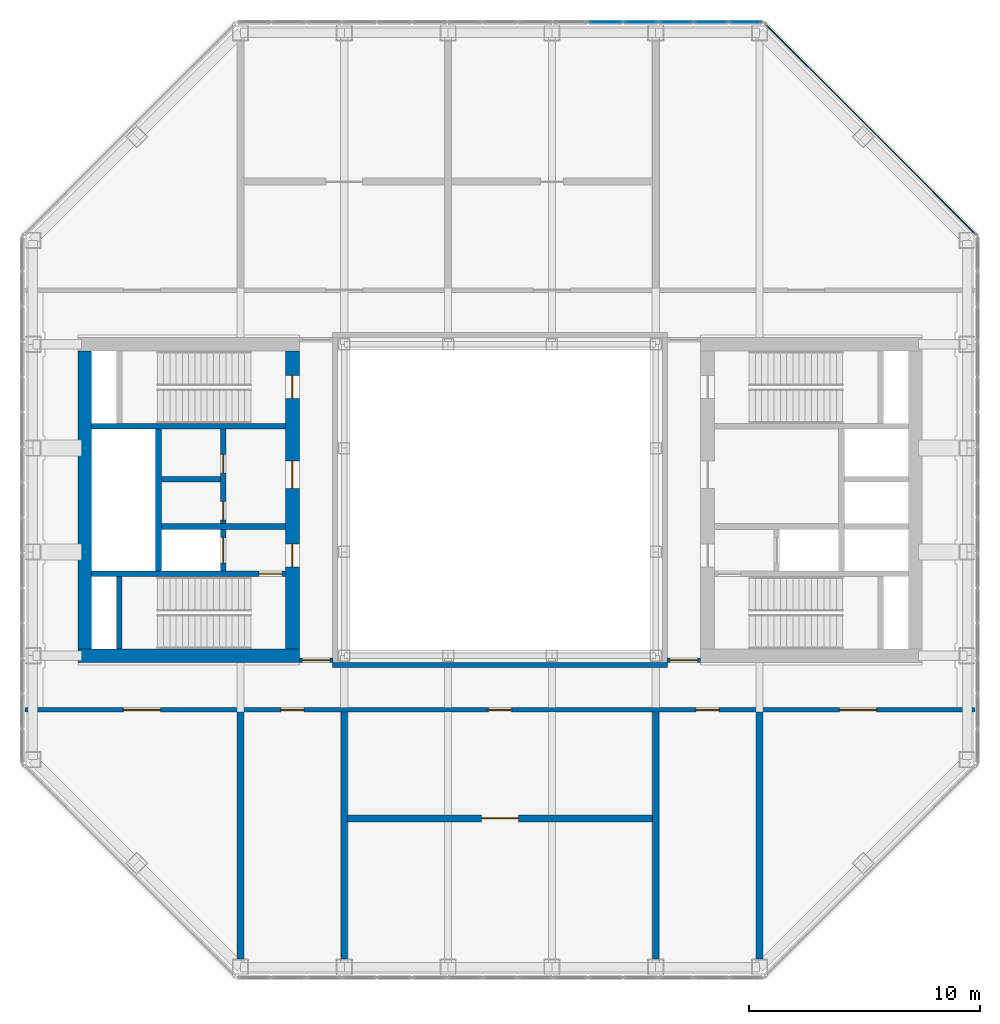
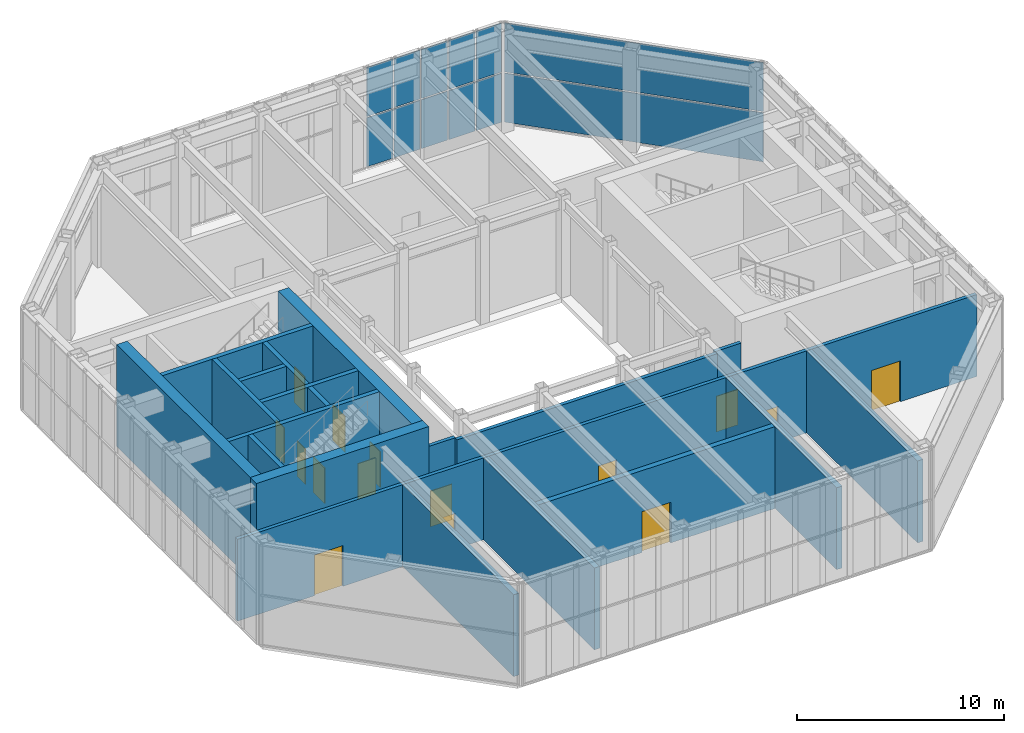
# One storey, part 9 of 12: 19 walls, 15 doors, 12 plates, 15 openings, 2 elements without a shape of their own.
"""IFC4 building model written with IfcOpenShell, lengths in metres."""

from ifc_helpers import new_model, si_unit, direction, frame, frame_2d, origin, origin_2d, place, context, subcontext, project, spatial, rectangle, extrude, material, layer, layer_set, type_object, element, fill, aggregate, save


model = new_model("IFC4")

# Units and contexts
model_context = context("Model", 3, precision=1e-05, world=origin(), true_north=direction((0.0, 1.0)))
body_context = subcontext(model_context, "Body", "Model", "MODEL_VIEW")
ifc_project = project(units=[si_unit("LENGTHUNIT", "METRE"), si_unit("AREAUNIT", "SQUARE_METRE"), si_unit("VOLUMEUNIT", "CUBIC_METRE"), si_unit("PLANEANGLEUNIT", "RADIAN"), si_unit("MASSUNIT", "GRAM", prefix="KILO")], contexts=[model_context])

# Site, building, storey
site_placement = place(None, origin())
site = spatial("IfcSite", under=ifc_project, at=site_placement, CompositionType="ELEMENT")
building_placement = place(site_placement, origin())
building = spatial("IfcBuilding", under=site, at=building_placement, Name="Msasa Ring Tower", CompositionType="ELEMENT")
storey_placement = place(building_placement, frame((0.0, 0.0, 262.050048828125)))
storey = spatial("IfcBuildingStorey", under=building, at=storey_placement, Name="L68", CompositionType="ELEMENT", Elevation=262.050048828125)

# Curtain wall, plates
ifc_material_1 = material(Name="Aluminium curtain wall with clear glass", Category="aluminium")
curtain_wall_type = type_object("IfcCurtainWallType", Name="CW-L LANTERN CURTAIN WALL", PredefinedType="NOTDEFINED", material=ifc_material_1)
curtain_wall_1_placement = place(storey_placement, origin())
curtain_wall_1 = element("IfcCurtainWall", 1, at=curtain_wall_1_placement, inside=storey, type_object=curtain_wall_type, Name="Lantern curtain wall NE L68", PredefinedType="NOTDEFINED")
ifc_material_2 = material(Name="Clear laminated insulating glass unit", Category="glass")
ifc_layer_1 = layer(ifc_material_2, 0.0400390625)
ifc_layer_set_1 = layer_set([ifc_layer_1], Name="CW-L GLASS PANEL 40")
plate_type = type_object("IfcPlateType", Name="CW-L GLASS PANEL 40", PredefinedType="CURTAIN_PANEL", material=ifc_layer_set_1)
plate_1_placement = place(storey_placement, frame((16.068115234375, 16.068115234375, 0.080078125), z_axis=(0.0, 0.0, 1.0), x_axis=(-0.707106781187, 0.707106781187, 0.0)))
plate_1 = element("IfcPlate", 2, at=plate_1_placement, type_object=plate_type, Name="CW-L panel 1.1", PredefinedType="CURTAIN_PANEL", context=body_context, shape_type="SweptSolid", body=[
    extrude(rectangle(XDim=12.940673828125, YDim=0.0400390625, at=origin_2d()), origin(), (0.0, 0.0, 1.0), 2.8798828125),
])
plate_2_placement = place(storey_placement, frame((16.068115234375, 16.068115234375, 3.0400390625), z_axis=(0.0, 0.0, 1.0), x_axis=(-0.707106781187, 0.707106781187, 0.0)))
plate_2 = element("IfcPlate", 3, at=plate_2_placement, type_object=plate_type, Name="CW-L panel 1.2", PredefinedType="CURTAIN_PANEL", context=body_context, shape_type="SweptSolid", body=[
    extrude(rectangle(XDim=12.940673828125, YDim=0.0400390625, at=origin_2d()), origin(), (0.0, 0.0, 1.0), 2.8798828125),
])
aggregate(curtain_wall_1, [plate_1, plate_2])

curtain_wall_2_placement = place(storey_placement, origin())
curtain_wall_2 = element("IfcCurtainWall", 4, at=curtain_wall_2_placement, inside=storey, type_object=curtain_wall_type, Name="Lantern curtain wall N L68", PredefinedType="NOTDEFINED")
plate_3_placement = place(storey_placement, frame((10.654052734375, 20.699951171875, 0.080078125), z_axis=(0.0, 0.0, 1.0), x_axis=(-1.0, 0.0, 0.0)))
plate_3 = element("IfcPlate", 5, at=plate_3_placement, type_object=plate_type, Name="CW-L panel 1.1", PredefinedType="CURTAIN_PANEL", context=body_context, shape_type="SweptSolid", body=[
    extrude(rectangle(XDim=1.40478515625, YDim=0.0400390625, at=origin_2d()), origin(), (0.0, 0.0, 1.0), 2.8798828125),
])
plate_4_placement = place(storey_placement, frame((10.654052734375, 20.699951171875, 3.0400390625), z_axis=(0.0, 0.0, 1.0), x_axis=(-1.0, 0.0, 0.0)))
plate_4 = element("IfcPlate", 6, at=plate_4_placement, type_object=plate_type, Name="CW-L panel 1.2", PredefinedType="CURTAIN_PANEL", context=body_context, shape_type="SweptSolid", body=[
    extrude(rectangle(XDim=1.40478515625, YDim=0.0400390625, at=origin_2d()), origin(), (0.0, 0.0, 1.0), 2.8798828125),
])
plate_5_placement = place(storey_placement, frame((9.149169921875, 20.699951171875, 0.080078125), z_axis=(0.0, 0.0, 1.0), x_axis=(-1.0, 0.0, 0.0)))
plate_5 = element("IfcPlate", 7, at=plate_5_placement, type_object=plate_type, Name="CW-L panel 2.1", PredefinedType="CURTAIN_PANEL", context=body_context, shape_type="SweptSolid", body=[
    extrude(rectangle(XDim=1.44482421875, YDim=0.0400390625, at=origin_2d()), origin(), (0.0, 0.0, 1.0), 2.8798828125),
])
plate_6_placement = place(storey_placement, frame((9.149169921875, 20.699951171875, 3.0400390625), z_axis=(0.0, 0.0, 1.0), x_axis=(-1.0, 0.0, 0.0)))
plate_6 = element("IfcPlate", 8, at=plate_6_placement, type_object=plate_type, Name="CW-L panel 2.2", PredefinedType="CURTAIN_PANEL", context=body_context, shape_type="SweptSolid", body=[
    extrude(rectangle(XDim=1.44482421875, YDim=0.0400390625, at=origin_2d()), origin(), (0.0, 0.0, 1.0), 2.8798828125),
])
plate_7_placement = place(storey_placement, frame((7.624267578125, 20.699951171875, 0.080078125), z_axis=(0.0, 0.0, 1.0), x_axis=(-1.0, 0.0, 0.0)))
plate_7 = element("IfcPlate", 9, at=plate_7_placement, type_object=plate_type, Name="CW-L panel 3.1", PredefinedType="CURTAIN_PANEL", context=body_context, shape_type="SweptSolid", body=[
    extrude(rectangle(XDim=1.44482421875, YDim=0.0400390625, at=origin_2d()), origin(), (0.0, 0.0, 1.0), 2.8798828125),
])
plate_8_placement = place(storey_placement, frame((7.624267578125, 20.699951171875, 3.0400390625), z_axis=(0.0, 0.0, 1.0), x_axis=(-1.0, 0.0, 0.0)))
plate_8 = element("IfcPlate", 10, at=plate_8_placement, type_object=plate_type, Name="CW-L panel 3.2", PredefinedType="CURTAIN_PANEL", context=body_context, shape_type="SweptSolid", body=[
    extrude(rectangle(XDim=1.44482421875, YDim=0.0400390625, at=origin_2d()), origin(), (0.0, 0.0, 1.0), 2.8798828125),
])
plate_9_placement = place(storey_placement, frame((6.099365234375, 20.699951171875, 0.080078125), z_axis=(0.0, 0.0, 1.0), x_axis=(-1.0, 0.0, 0.0)))
plate_9 = element("IfcPlate", 11, at=plate_9_placement, type_object=plate_type, Name="CW-L panel 4.1", PredefinedType="CURTAIN_PANEL", context=body_context, shape_type="SweptSolid", body=[
    extrude(rectangle(XDim=1.44482421875, YDim=0.0400390625, at=origin_2d()), origin(), (0.0, 0.0, 1.0), 2.8798828125),
])
plate_10_placement = place(storey_placement, frame((6.099365234375, 20.699951171875, 3.0400390625), z_axis=(0.0, 0.0, 1.0), x_axis=(-1.0, 0.0, 0.0)))
plate_10 = element("IfcPlate", 12, at=plate_10_placement, type_object=plate_type, Name="CW-L panel 4.2", PredefinedType="CURTAIN_PANEL", context=body_context, shape_type="SweptSolid", body=[
    extrude(rectangle(XDim=1.44482421875, YDim=0.0400390625, at=origin_2d()), origin(), (0.0, 0.0, 1.0), 2.8798828125),
])
plate_11_placement = place(storey_placement, frame((4.574462890625, 20.699951171875, 0.080078125), z_axis=(0.0, 0.0, 1.0), x_axis=(-1.0, 0.0, 0.0)))
plate_11 = element("IfcPlate", 13, at=plate_11_placement, type_object=plate_type, Name="CW-L panel 5.1", PredefinedType="CURTAIN_PANEL", context=body_context, shape_type="SweptSolid", body=[
    extrude(rectangle(XDim=1.44482421875, YDim=0.0400390625, at=origin_2d()), origin(), (0.0, 0.0, 1.0), 2.8798828125),
])
plate_12_placement = place(storey_placement, frame((4.574462890625, 20.699951171875, 3.0400390625), z_axis=(0.0, 0.0, 1.0), x_axis=(-1.0, 0.0, 0.0)))
plate_12 = element("IfcPlate", 14, at=plate_12_placement, type_object=plate_type, Name="CW-L panel 5.2", PredefinedType="CURTAIN_PANEL", context=body_context, shape_type="SweptSolid", body=[
    extrude(rectangle(XDim=1.44482421875, YDim=0.0400390625, at=origin_2d()), origin(), (0.0, 0.0, 1.0), 2.8798828125),
])
aggregate(curtain_wall_2, [plate_3, plate_4, plate_5, plate_6, plate_7, plate_8, plate_9, plate_10, plate_11, plate_12])

# Wall
ifc_material_3 = material(Name="Concrete C60/75", Category="concrete")
ifc_layer_2 = layer(ifc_material_3, 0.60009765625)
ifc_layer_set_2 = layer_set([ifc_layer_2], Name="CW3 CORE WALL 600")
wall_type_1 = type_object("IfcWallType", Name="CW3 CORE WALL 600", PredefinedType="SHEAR", material=ifc_layer_set_2)
wall_1_placement = place(storey_placement, frame((-8.699951171875, -6.75, 0.0), z_axis=(0.0, 0.0, 1.0), x_axis=(-1.0, 0.0, 0.0)))
element("IfcWall", 15, at=wall_1_placement, inside=storey, type_object=wall_type_1, Name="W core wall S L68", PredefinedType="SHEAR", context=body_context, shape_type="SweptSolid", body=[
    extrude(rectangle(XDim=9.60009765625, YDim=0.60009765625, at=frame_2d((4.800048828125, 0.0))), origin(), (0.0, 0.0, 1.0), 6.0),
])

# Wall, openings, doors
wall_2_placement = place(storey_placement, frame((-9.0, -6.449951171875, 0.0), z_axis=(0.0, 0.0, 1.0), x_axis=(0.0, 1.0, 0.0)))
wall_2 = element("IfcWall", 16, at=wall_2_placement, inside=storey, type_object=wall_type_1, Name="W core wall W L68", PredefinedType="SHEAR", context=body_context, shape_type="SweptSolid", body=[
    extrude(rectangle(XDim=12.89990234375, YDim=0.60009765625, at=frame_2d((6.449951171875, 0.0))), origin(), (0.0, 0.0, 1.0), 6.0),
])
opening_1_placement = place(wall_2_placement, frame((3.550048828125, 0.0, 0.0)))
opening_1 = element("IfcOpeningElement", 17, at=opening_1_placement, cuts=wall_2, Name="Opening L68-015", PredefinedType="OPENING", context=body_context, shape_type="SweptSolid", body=[
    extrude(rectangle(XDim=1.0, YDim=2.10009765625, at=frame_2d((0.5, 1.050048828125))), frame((0.0, 0.31005859375, 0.0), z_axis=(0.0, -1.0, 0.0), x_axis=(1.0, 0.0, 0.0)), (0.0, 0.0, 1.0), 0.6201171875),
])
opening_2_placement = place(wall_2_placement, frame((6.949951171875, 0.0, 0.0)))
opening_2 = element("IfcOpeningElement", 18, at=opening_2_placement, cuts=wall_2, Name="Opening L68-012", PredefinedType="OPENING", context=body_context, shape_type="SweptSolid", body=[
    extrude(rectangle(XDim=1.199951171875, YDim=2.10009765625, at=frame_2d((0.60009765625, 1.050048828125))), frame((0.0, 0.31005859375, 0.0), z_axis=(0.0, -1.0, 0.0), x_axis=(1.0, 0.0, 0.0)), (0.0, 0.0, 1.0), 0.6201171875),
])
opening_3_placement = place(wall_2_placement, frame((10.85009765625, 0.0, 0.0)))
opening_3 = element("IfcOpeningElement", 19, at=opening_3_placement, cuts=wall_2, Name="Opening L68-009", PredefinedType="OPENING", context=body_context, shape_type="SweptSolid", body=[
    extrude(rectangle(XDim=1.0, YDim=2.10009765625, at=frame_2d((0.5, 1.050048828125))), frame((0.0, 0.31005859375, 0.0), z_axis=(0.0, -1.0, 0.0), x_axis=(1.0, 0.0, 0.0)), (0.0, 0.0, 1.0), 0.6201171875),
])
ifc_material_4 = material(Name="Timber door leaf in a steel frame", Category="steel")
door_type_1 = type_object("IfcDoorType", Name="D4 LOBBY DOOR 1000x2100", OperationType="SINGLE_SWING_LEFT", PredefinedType="DOOR", material=ifc_material_4)
door_1_placement = place(opening_1_placement, origin())
door_1 = element("IfcDoor", 20, at=door_1_placement, inside=storey, type_object=door_type_1, Name="Door L68-WFFL", OperationType="SINGLE_SWING_LEFT", OverallHeight=2.10009765625, OverallWidth=1.0, PredefinedType="DOOR", context=body_context, shape_type="SweptSolid", body=[
    extrude(rectangle(XDim=1.0, YDim=2.10009765625, at=frame_2d((0.5, 1.050048828125))), frame((0.0, 0.02490234375, 0.0), z_axis=(0.0, -1.0, 0.0), x_axis=(1.0, 0.0, 0.0)), (0.0, 0.0, 1.0), 0.050048828125),
])
fill(opening_1, door_1)
ifc_material_5 = material(Name="Timber door leaf in a steel frame", Category="steel")
door_type_2 = type_object("IfcDoorType", Name="D5 WIDE LOBBY DOOR 1200x2100", OperationType="SINGLE_SWING_LEFT", PredefinedType="DOOR", material=ifc_material_5)
door_2_placement = place(opening_2_placement, origin())
door_2 = element("IfcDoor", 21, at=door_2_placement, inside=storey, type_object=door_type_2, Name="Door L68-WLL", OperationType="SINGLE_SWING_RIGHT", OverallHeight=2.10009765625, OverallWidth=1.199951171875, PredefinedType="DOOR", context=body_context, shape_type="SweptSolid", body=[
    extrude(rectangle(XDim=1.199951171875, YDim=2.10009765625, at=frame_2d((0.60009765625, 1.050048828125))), frame((0.0, 0.02490234375, 0.0), z_axis=(0.0, -1.0, 0.0), x_axis=(1.0, 0.0, 0.0)), (0.0, 0.0, 1.0), 0.050048828125),
])
fill(opening_2, door_2)
ifc_material_6 = material(Name="Timber door leaf in a steel frame", Category="steel")
door_type_3 = type_object("IfcDoorType", Name="D6 STAIR DOOR 1000x2100", OperationType="SINGLE_SWING_LEFT", PredefinedType="DOOR", material=ifc_material_6)
door_3_placement = place(opening_3_placement, origin())
door_3 = element("IfcDoor", 22, at=door_3_placement, inside=storey, type_object=door_type_3, Name="Door L68-WSTB", OperationType="SINGLE_SWING_RIGHT", OverallHeight=2.10009765625, OverallWidth=1.0, PredefinedType="DOOR", context=body_context, shape_type="SweptSolid", body=[
    extrude(rectangle(XDim=1.0, YDim=2.10009765625, at=frame_2d((0.5, 1.050048828125))), frame((0.0, 0.02490234375, 0.0), z_axis=(0.0, -1.0, 0.0), x_axis=(1.0, 0.0, 0.0)), (0.0, 0.0, 1.0), 0.050048828125),
])
fill(opening_3, door_3)

# Wall
wall_3_placement = place(storey_placement, frame((-18.0, -6.449951171875, 0.0), z_axis=(0.0, 0.0, 1.0), x_axis=(0.0, 1.0, 0.0)))
element("IfcWall", 23, at=wall_3_placement, inside=storey, type_object=wall_type_1, Name="W core wall E L68", PredefinedType="SHEAR", context=body_context, shape_type="SweptSolid", body=[
    extrude(rectangle(XDim=12.89990234375, YDim=0.60009765625, at=frame_2d((6.449951171875, 0.0))), origin(), (0.0, 0.0, 1.0), 6.0),
])

# Wall, opening, door
ifc_material_7 = material(Name="Concrete C60/75", Category="concrete")
ifc_layer_3 = layer(ifc_material_7, 0.25)
ifc_layer_set_3 = layer_set([ifc_layer_3], Name="CW4 CORE INNER WALL 250")
wall_type_2 = type_object("IfcWallType", Name="CW4 CORE INNER WALL 250", PredefinedType="SHEAR", material=ifc_layer_set_3)
wall_4_placement = place(storey_placement, frame((-9.300048828125, -3.199951171875, 0.0), z_axis=(0.0, 0.0, 1.0), x_axis=(-1.0, 0.0, 0.0)))
wall_4 = element("IfcWall", 24, at=wall_4_placement, inside=storey, type_object=wall_type_2, Name="W core wall STAIRA L68", PredefinedType="SHEAR", context=body_context, shape_type="SweptSolid", body=[
    extrude(rectangle(XDim=8.39990234375, YDim=0.25, at=frame_2d((4.199951171875, 0.0))), origin(), (0.0, 0.0, 1.0), 6.0),
])
opening_4_placement = place(wall_4_placement, frame((0.14990234375, 0.0, 0.0)))
opening_4 = element("IfcOpeningElement", 25, at=opening_4_placement, cuts=wall_4, Name="Opening L68-017", PredefinedType="OPENING", context=body_context, shape_type="SweptSolid", body=[
    extrude(rectangle(XDim=1.0, YDim=2.10009765625, at=frame_2d((0.5, 1.050048828125))), frame((0.0, 0.135009765625, 0.0), z_axis=(0.0, -1.0, 0.0), x_axis=(1.0, 0.0, 0.0)), (0.0, 0.0, 1.0), 0.27001953125),
])
door_4_placement = place(opening_4_placement, origin())
door_4 = element("IfcDoor", 26, at=door_4_placement, inside=storey, type_object=door_type_3, Name="Door L68-WSTA", OperationType="SINGLE_SWING_LEFT", OverallHeight=2.10009765625, OverallWidth=1.0, PredefinedType="DOOR", context=body_context, shape_type="SweptSolid", body=[
    extrude(rectangle(XDim=1.0, YDim=2.10009765625, at=frame_2d((0.5, 1.050048828125))), frame((0.0, 0.02490234375, 0.0), z_axis=(0.0, -1.0, 0.0), x_axis=(1.0, 0.0, 0.0)), (0.0, 0.0, 1.0), 0.050048828125),
])
fill(opening_4, door_4)

# Walls
wall_5_placement = place(storey_placement, frame((-9.300048828125, 3.199951171875, 0.0), z_axis=(0.0, 0.0, 1.0), x_axis=(-1.0, 0.0, 0.0)))
element("IfcWall", 27, at=wall_5_placement, inside=storey, type_object=wall_type_2, Name="W core wall STAIRB L68", PredefinedType="SHEAR", context=body_context, shape_type="SweptSolid", body=[
    extrude(rectangle(XDim=8.39990234375, YDim=0.25, at=frame_2d((4.199951171875, 0.0))), origin(), (0.0, 0.0, 1.0), 6.0),
])
wall_6_placement = place(storey_placement, frame((-16.5, -6.449951171875, 0.0), z_axis=(0.0, 0.0, 1.0), x_axis=(0.0, 1.0, 0.0)))
element("IfcWall", 28, at=wall_6_placement, inside=storey, type_object=wall_type_2, Name="W core wall RISERA L68", PredefinedType="SHEAR", context=body_context, shape_type="SweptSolid", body=[
    extrude(rectangle(XDim=3.125, YDim=0.25, at=frame_2d((1.5625, 0.0))), origin(), (0.0, 0.0, 1.0), 6.0),
])
wall_7_placement = place(storey_placement, frame((-9.300048828125, -1.14990234375, 0.0), z_axis=(0.0, 0.0, 1.0), x_axis=(-1.0, 0.0, 0.0)))
element("IfcWall", 29, at=wall_7_placement, inside=storey, type_object=wall_type_2, Name="W core wall FFL L68", PredefinedType="SHEAR", context=body_context, shape_type="SweptSolid", body=[
    extrude(rectangle(XDim=5.375, YDim=0.25, at=frame_2d((2.6875, 0.0))), origin(), (0.0, 0.0, 1.0), 6.0),
])

# Wall, openings, doors
wall_8_placement = place(storey_placement, frame((-12.0, -3.074951171875, 0.0), z_axis=(0.0, 0.0, 1.0), x_axis=(0.0, 1.0, 0.0)))
wall_8 = element("IfcWall", 30, at=wall_8_placement, inside=storey, type_object=wall_type_2, Name="W core wall LOBBY L68", PredefinedType="SHEAR", context=body_context, shape_type="SweptSolid", body=[
    extrude(rectangle(XDim=6.14990234375, YDim=0.25, at=frame_2d((3.074951171875, 0.0))), origin(), (0.0, 0.0, 1.0), 6.0),
])
opening_5_placement = place(wall_8_placement, frame((2.199951171875, 0.0, 0.0)))
opening_5 = element("IfcOpeningElement", 31, at=opening_5_placement, cuts=wall_8, Name="Opening L68-014", PredefinedType="OPENING", context=body_context, shape_type="SweptSolid", body=[
    extrude(rectangle(XDim=0.800048828125, YDim=2.10009765625, at=frame_2d((0.39990234375, 1.050048828125))), frame((0.0, 0.135009765625, 0.0), z_axis=(0.0, -1.0, 0.0), x_axis=(1.0, 0.0, 0.0)), (0.0, 0.0, 1.0), 0.27001953125),
])
opening_6_placement = place(wall_8_placement, frame((4.25, 0.0, 0.0)))
opening_6 = element("IfcOpeningElement", 32, at=opening_6_placement, cuts=wall_8, Name="Opening L68-011", PredefinedType="OPENING", context=body_context, shape_type="SweptSolid", body=[
    extrude(rectangle(XDim=0.800048828125, YDim=2.10009765625, at=frame_2d((0.39990234375, 1.050048828125))), frame((0.0, 0.135009765625, 0.0), z_axis=(0.0, -1.0, 0.0), x_axis=(1.0, 0.0, 0.0)), (0.0, 0.0, 1.0), 0.27001953125),
])
opening_7_placement = place(wall_8_placement, frame((0.35009765625, 0.0, 0.0)))
opening_7 = element("IfcOpeningElement", 33, at=opening_7_placement, cuts=wall_8, Name="Opening LD1", PredefinedType="OPENING", context=body_context, shape_type="SweptSolid", body=[
    extrude(rectangle(XDim=1.10009765625, YDim=2.10009765625, at=frame_2d((0.550048828125, 1.050048828125))), frame((0.0, 0.135009765625, 0.0), z_axis=(0.0, -1.0, 0.0), x_axis=(1.0, 0.0, 0.0)), (0.0, 0.0, 1.0), 0.27001953125),
])
ifc_material_8 = material(Name="Timber door leaf in a steel frame", Category="steel")
door_type_4 = type_object("IfcDoorType", Name="D9 NARROW SERVICE DOOR 800x2100", OperationType="SINGLE_SWING_LEFT", PredefinedType="DOOR", material=ifc_material_8)
door_5_placement = place(opening_5_placement, origin())
door_5 = element("IfcDoor", 34, at=door_5_placement, inside=storey, type_object=door_type_4, Name="Door L68-WR1", OperationType="SINGLE_SWING_LEFT", OverallHeight=2.10009765625, OverallWidth=0.800048828125, PredefinedType="DOOR", context=body_context, shape_type="SweptSolid", body=[
    extrude(rectangle(XDim=0.800048828125, YDim=2.10009765625, at=frame_2d((0.39990234375, 1.050048828125))), frame((0.0, 0.02490234375, 0.0), z_axis=(0.0, -1.0, 0.0), x_axis=(1.0, 0.0, 0.0)), (0.0, 0.0, 1.0), 0.050048828125),
])
fill(opening_5, door_5)
door_6_placement = place(opening_6_placement, origin())
door_6 = element("IfcDoor", 35, at=door_6_placement, inside=storey, type_object=door_type_4, Name="Door L68-WR2", OperationType="SINGLE_SWING_RIGHT", OverallHeight=2.10009765625, OverallWidth=0.800048828125, PredefinedType="DOOR", context=body_context, shape_type="SweptSolid", body=[
    extrude(rectangle(XDim=0.800048828125, YDim=2.10009765625, at=frame_2d((0.39990234375, 1.050048828125))), frame((0.0, 0.02490234375, 0.0), z_axis=(0.0, -1.0, 0.0), x_axis=(1.0, 0.0, 0.0)), (0.0, 0.0, 1.0), 0.050048828125),
])
fill(opening_6, door_6)
ifc_material_9 = material(Name="Stainless steel lift landing door", Category="steel")
door_type_5 = type_object("IfcDoorType", Name="LD1 LIFT LANDING DOOR 1100x2100", OperationType="DOUBLE_DOOR_SLIDING", PredefinedType="DOOR", material=ifc_material_9)
door_7_placement = place(opening_7_placement, origin())
door_7 = element("IfcDoor", 36, at=door_7_placement, inside=storey, type_object=door_type_5, Name="Lift landing door FL-W L68", OperationType="DOUBLE_DOOR_SLIDING", OverallHeight=2.10009765625, OverallWidth=1.10009765625, PredefinedType="DOOR", context=body_context, shape_type="SweptSolid", body=[
    extrude(rectangle(XDim=1.10009765625, YDim=2.10009765625, at=frame_2d((0.550048828125, 1.050048828125))), frame((0.0, 0.02490234375, 0.0), z_axis=(0.0, -1.0, 0.0), x_axis=(1.0, 0.0, 0.0)), (0.0, 0.0, 1.0), 0.050048828125),
])
fill(opening_7, door_7)

# Walls
wall_9_placement = place(storey_placement, frame((-14.800048828125, -3.074951171875, 0.0), z_axis=(0.0, 0.0, 1.0), x_axis=(0.0, 1.0, 0.0)))
element("IfcWall", 37, at=wall_9_placement, inside=storey, type_object=wall_type_2, Name="W core wall SHAFT L68", PredefinedType="SHEAR", context=body_context, shape_type="SweptSolid", body=[
    extrude(rectangle(XDim=6.14990234375, YDim=0.25, at=frame_2d((3.074951171875, 0.0))), origin(), (0.0, 0.0, 1.0), 6.0),
])
wall_10_placement = place(storey_placement, frame((-12.125, 0.89990234375, 0.0), z_axis=(0.0, 0.0, 1.0), x_axis=(-1.0, 0.0, 0.0)))
element("IfcWall", 38, at=wall_10_placement, inside=storey, type_object=wall_type_2, Name="W core wall LIFT1 L68", PredefinedType="SHEAR", context=body_context, shape_type="SweptSolid", body=[
    extrude(rectangle(XDim=2.550048828125, YDim=0.25, at=frame_2d((1.27490234375, 0.0))), origin(), (0.0, 0.0, 1.0), 6.0),
])
ifc_material_10 = material(Name="Terracotta rainscreen on blockwork", Category="masonry")
ifc_layer_4 = layer(ifc_material_10, 0.199951171875)
ifc_layer_set_4 = layer_set([ifc_layer_4], Name="FW4 LIGHT WELL WALL 200")
wall_type_3 = type_object("IfcWallType", Name="FW4 LIGHT WELL WALL 200", PredefinedType="SOLIDWALL", material=ifc_layer_set_4)
wall_11_placement = place(storey_placement, frame((-7.25, -7.14990234375, 0.0), z_axis=(0.0, 0.0, 1.0), x_axis=(1.0, 0.0, 0.0)))
element("IfcWall", 39, at=wall_11_placement, inside=storey, type_object=wall_type_3, Name="Light well wall S L68", PredefinedType="SOLIDWALL", context=body_context, shape_type="SweptSolid", body=[
    extrude(rectangle(XDim=14.5, YDim=0.199951171875, at=frame_2d((7.25, 0.0))), origin(), (0.0, 0.0, 1.0), 4.8232421875),
])

# Wall, opening, door
ifc_material_11 = material(Name="Concrete blockwork", Category="masonry")
ifc_layer_5 = layer(ifc_material_11, 0.199951171875)
ifc_layer_set_5 = layer_set([ifc_layer_5], Name="PT1 CORRIDOR WALL 200")
wall_type_4 = type_object("IfcWallType", Name="PT1 CORRIDOR WALL 200", PredefinedType="PARTITIONING", material=ifc_layer_set_5)
wall_12_placement = place(storey_placement, frame((7.22998046875, -6.949951171875, 0.0), z_axis=(0.0, 0.0, 1.0), x_axis=(1.0, 0.0, 0.0)))
wall_12 = element("IfcWall", 40, at=wall_12_placement, inside=storey, type_object=wall_type_4, Name="Corridor wall L68-SDES", PredefinedType="PARTITIONING", context=body_context, shape_type="SweptSolid", body=[
    extrude(rectangle(XDim=1.469970703125, YDim=0.199951171875, at=frame_2d((0.73486328125, 0.0))), origin(), (0.0, 0.0, 1.0), 4.8232421875),
])
opening_8_placement = place(wall_12_placement, frame((0.135009765625, 0.0, 0.0)))
opening_8 = element("IfcOpeningElement", 41, at=opening_8_placement, cuts=wall_12, Name="Opening L68-020", PredefinedType="OPENING", context=body_context, shape_type="SweptSolid", body=[
    extrude(rectangle(XDim=1.199951171875, YDim=2.10009765625, at=frame_2d((0.60009765625, 1.050048828125))), frame((0.0, 0.10986328125, 0.0), z_axis=(0.0, -1.0, 0.0), x_axis=(1.0, 0.0, 0.0)), (0.0, 0.0, 1.0), 0.219970703125),
])
ifc_material_12 = material(Name="Timber door leaf in a steel frame", Category="steel")
door_type_6 = type_object("IfcDoorType", Name="D25 CORRIDOR PAIR OF SMOKE DOORS 1200x2100", OperationType="DOUBLE_DOOR_DOUBLE_SWING", PredefinedType="DOOR", material=ifc_material_12)
door_8_placement = place(opening_8_placement, origin())
door_8 = element("IfcDoor", 42, at=door_8_placement, inside=storey, type_object=door_type_6, Name="Door L68-SDES", OperationType="DOUBLE_DOOR_DOUBLE_SWING", OverallHeight=2.10009765625, OverallWidth=1.199951171875, PredefinedType="DOOR", context=body_context, shape_type="SweptSolid", body=[
    extrude(rectangle(XDim=1.199951171875, YDim=2.10009765625, at=frame_2d((0.60009765625, 1.050048828125))), frame((0.0, 0.02490234375, 0.0), z_axis=(0.0, -1.0, 0.0), x_axis=(1.0, 0.0, 0.0)), (0.0, 0.0, 1.0), 0.050048828125),
])
fill(opening_8, door_8)

wall_13_placement = place(storey_placement, frame((-8.699951171875, -6.949951171875, 0.0), z_axis=(0.0, 0.0, 1.0), x_axis=(1.0, 0.0, 0.0)))
wall_13 = element("IfcWall", 43, at=wall_13_placement, inside=storey, type_object=wall_type_4, Name="Corridor wall L68-SDWS", PredefinedType="PARTITIONING", context=body_context, shape_type="SweptSolid", body=[
    extrude(rectangle(XDim=1.469970703125, YDim=0.199951171875, at=frame_2d((0.73486328125, 0.0))), origin(), (0.0, 0.0, 1.0), 4.8232421875),
])
opening_9_placement = place(wall_13_placement, frame((0.135009765625, 0.0, 0.0)))
opening_9 = element("IfcOpeningElement", 44, at=opening_9_placement, cuts=wall_13, Name="Opening L68-019", PredefinedType="OPENING", context=body_context, shape_type="SweptSolid", body=[
    extrude(rectangle(XDim=1.199951171875, YDim=2.10009765625, at=frame_2d((0.60009765625, 1.050048828125))), frame((0.0, 0.10986328125, 0.0), z_axis=(0.0, -1.0, 0.0), x_axis=(1.0, 0.0, 0.0)), (0.0, 0.0, 1.0), 0.219970703125),
])
door_9_placement = place(opening_9_placement, origin())
door_9 = element("IfcDoor", 45, at=door_9_placement, inside=storey, type_object=door_type_6, Name="Door L68-SDWS", OperationType="DOUBLE_DOOR_DOUBLE_SWING", OverallHeight=2.10009765625, OverallWidth=1.199951171875, PredefinedType="DOOR", context=body_context, shape_type="SweptSolid", body=[
    extrude(rectangle(XDim=1.199951171875, YDim=2.10009765625, at=frame_2d((0.60009765625, 1.050048828125))), frame((0.0, 0.02490234375, 0.0), z_axis=(0.0, -1.0, 0.0), x_axis=(1.0, 0.0, 0.0)), (0.0, 0.0, 1.0), 0.050048828125),
])
fill(opening_9, door_9)

# Wall, openings, doors
wall_14_placement = place(storey_placement, frame((-20.590087890625, -9.10009765625, 0.0), z_axis=(0.0, 0.0, 1.0), x_axis=(1.0, 0.0, 0.0)))
wall_14 = element("IfcWall", 46, at=wall_14_placement, inside=storey, type_object=wall_type_4, Name="Corridor wall L68-CORRS0", PredefinedType="PARTITIONING", context=body_context, shape_type="SweptSolid", body=[
    extrude(rectangle(XDim=41.18017578125, YDim=0.199951171875, at=frame_2d((20.590087890625, 0.0))), origin(), (0.0, 0.0, 1.0), 4.8232421875),
])
opening_10_placement = place(wall_14_placement, frame((4.264892578125, 0.0, 0.0)))
opening_10 = element("IfcOpeningElement", 47, at=opening_10_placement, cuts=wall_14, Name="Opening L68-021", PredefinedType="OPENING", context=body_context, shape_type="SweptSolid", body=[
    extrude(rectangle(XDim=1.60009765625, YDim=2.39990234375, at=frame_2d((0.800048828125, 1.199951171875))), frame((0.0, 0.10986328125, 0.0), z_axis=(0.0, -1.0, 0.0), x_axis=(1.0, 0.0, 0.0)), (0.0, 0.0, 1.0), 0.219970703125),
])
opening_11_placement = place(wall_14_placement, frame((11.090087890625, 0.0, 0.0)))
opening_11 = element("IfcOpeningElement", 48, at=opening_11_placement, cuts=wall_14, Name="Opening L68-022", PredefinedType="OPENING", context=body_context, shape_type="SweptSolid", body=[
    extrude(rectangle(XDim=1.0, YDim=2.10009765625, at=frame_2d((0.5, 1.050048828125))), frame((0.0, 0.10986328125, 0.0), z_axis=(0.0, -1.0, 0.0), x_axis=(1.0, 0.0, 0.0)), (0.0, 0.0, 1.0), 0.219970703125),
])
opening_12_placement = place(wall_14_placement, frame((20.090087890625, 0.0, 0.0)))
opening_12 = element("IfcOpeningElement", 49, at=opening_12_placement, cuts=wall_14, Name="Opening L68-023", PredefinedType="OPENING", context=body_context, shape_type="SweptSolid", body=[
    extrude(rectangle(XDim=1.0, YDim=2.10009765625, at=frame_2d((0.5, 1.050048828125))), frame((0.0, 0.10986328125, 0.0), z_axis=(0.0, -1.0, 0.0), x_axis=(1.0, 0.0, 0.0)), (0.0, 0.0, 1.0), 0.219970703125),
])
opening_13_placement = place(wall_14_placement, frame((29.090087890625, 0.0, 0.0)))
opening_13 = element("IfcOpeningElement", 50, at=opening_13_placement, cuts=wall_14, Name="Opening L68-024", PredefinedType="OPENING", context=body_context, shape_type="SweptSolid", body=[
    extrude(rectangle(XDim=1.0, YDim=2.10009765625, at=frame_2d((0.5, 1.050048828125))), frame((0.0, 0.10986328125, 0.0), z_axis=(0.0, -1.0, 0.0), x_axis=(1.0, 0.0, 0.0)), (0.0, 0.0, 1.0), 0.219970703125),
])
opening_14_placement = place(wall_14_placement, frame((35.31494140625, 0.0, 0.0)))
opening_14 = element("IfcOpeningElement", 51, at=opening_14_placement, cuts=wall_14, Name="Opening L68-025", PredefinedType="OPENING", context=body_context, shape_type="SweptSolid", body=[
    extrude(rectangle(XDim=1.60009765625, YDim=2.39990234375, at=frame_2d((0.800048828125, 1.199951171875))), frame((0.0, 0.10986328125, 0.0), z_axis=(0.0, -1.0, 0.0), x_axis=(1.0, 0.0, 0.0)), (0.0, 0.0, 1.0), 0.219970703125),
])
ifc_material_13 = material(Name="Timber door leaf in a steel frame", Category="steel")
door_type_7 = type_object("IfcDoorType", Name="D13 PLANT ROOM DOOR 1000x2100", OperationType="SINGLE_SWING_LEFT", PredefinedType="DOOR", material=ifc_material_13)
door_10_placement = place(opening_12_placement, origin())
door_10 = element("IfcDoor", 52, at=door_10_placement, inside=storey, type_object=door_type_7, Name="Door L68-LPS2A", OperationType="SINGLE_SWING_LEFT", OverallHeight=2.10009765625, OverallWidth=1.0, PredefinedType="DOOR", context=body_context, shape_type="SweptSolid", body=[
    extrude(rectangle(XDim=1.0, YDim=2.10009765625, at=frame_2d((0.5, 1.050048828125))), frame((0.0, 0.02490234375, 0.0), z_axis=(0.0, -1.0, 0.0), x_axis=(1.0, 0.0, 0.0)), (0.0, 0.0, 1.0), 0.050048828125),
])
fill(opening_12, door_10)
ifc_material_14 = material(Name="Timber door leaf in a steel frame", Category="steel")
door_type_8 = type_object("IfcDoorType", Name="D20 PLANT ROOM PAIR OF DOORS 1600x2400", OperationType="SINGLE_SWING_LEFT", PredefinedType="DOOR", material=ifc_material_14)
door_11_placement = place(opening_10_placement, origin())
door_11 = element("IfcDoor", 53, at=door_11_placement, inside=storey, type_object=door_type_8, Name="Door L68-LPS0", OperationType="SINGLE_SWING_LEFT", OverallHeight=2.39990234375, OverallWidth=1.60009765625, PredefinedType="DOOR", context=body_context, shape_type="SweptSolid", body=[
    extrude(rectangle(XDim=1.60009765625, YDim=2.39990234375, at=frame_2d((0.800048828125, 1.199951171875))), frame((0.0, 0.02490234375, 0.0), z_axis=(0.0, -1.0, 0.0), x_axis=(1.0, 0.0, 0.0)), (0.0, 0.0, 1.0), 0.050048828125),
])
fill(opening_10, door_11)
door_12_placement = place(opening_14_placement, origin())
door_12 = element("IfcDoor", 54, at=door_12_placement, inside=storey, type_object=door_type_8, Name="Door L68-LPS4", OperationType="SINGLE_SWING_RIGHT", OverallHeight=2.39990234375, OverallWidth=1.60009765625, PredefinedType="DOOR", context=body_context, shape_type="SweptSolid", body=[
    extrude(rectangle(XDim=1.60009765625, YDim=2.39990234375, at=frame_2d((0.800048828125, 1.199951171875))), frame((0.0, 0.02490234375, 0.0), z_axis=(0.0, -1.0, 0.0), x_axis=(1.0, 0.0, 0.0)), (0.0, 0.0, 1.0), 0.050048828125),
])
fill(opening_14, door_12)
ifc_material_15 = material(Name="Timber door leaf in a steel frame", Category="steel")
door_type_9 = type_object("IfcDoorType", Name="D50 FUEL STORE DOOR 1000x2100", OperationType="SINGLE_SWING_LEFT", PredefinedType="DOOR", material=ifc_material_15)
door_13_placement = place(opening_11_placement, origin())
door_13 = element("IfcDoor", 55, at=door_13_placement, inside=storey, type_object=door_type_9, Name="Door L68-LPS1", OperationType="SINGLE_SWING_LEFT", OverallHeight=2.10009765625, OverallWidth=1.0, PredefinedType="DOOR", context=body_context, shape_type="SweptSolid", body=[
    extrude(rectangle(XDim=1.0, YDim=2.10009765625, at=frame_2d((0.5, 1.050048828125))), frame((0.0, 0.02490234375, 0.0), z_axis=(0.0, -1.0, 0.0), x_axis=(1.0, 0.0, 0.0)), (0.0, 0.0, 1.0), 0.050048828125),
])
fill(opening_11, door_13)
door_14_placement = place(opening_13_placement, origin())
door_14 = element("IfcDoor", 56, at=door_14_placement, inside=storey, type_object=door_type_9, Name="Door L68-LPS3", OperationType="SINGLE_SWING_RIGHT", OverallHeight=2.10009765625, OverallWidth=1.0, PredefinedType="DOOR", context=body_context, shape_type="SweptSolid", body=[
    extrude(rectangle(XDim=1.0, YDim=2.10009765625, at=frame_2d((0.5, 1.050048828125))), frame((0.0, 0.02490234375, 0.0), z_axis=(0.0, -1.0, 0.0), x_axis=(1.0, 0.0, 0.0)), (0.0, 0.0, 1.0), 0.050048828125),
])
fill(opening_13, door_14)

# Walls
ifc_material_16 = material(Name="Dense concrete blockwork, fair faced", Category="masonry")
ifc_layer_6 = layer(ifc_material_16, 0.300048828125)
ifc_layer_set_6 = layer_set([ifc_layer_6], Name="PT7 PLANT ROOM WALL 300")
wall_type_5 = type_object("IfcWallType", Name="PT7 PLANT ROOM WALL 300", PredefinedType="PARTITIONING", material=ifc_layer_set_6)
for number, where, z_axis, x_axis, name in (
    (57, (-11.25, -19.89990234375, 0.0), (0.0, 0.0, 1.0), (0.0, 1.0, 0.0), "Partition L68-LPSW1"),
    (58, (-6.75, -19.89990234375, 0.0), (0.0, 0.0, 1.0), (0.0, 1.0, 0.0), "Partition L68-LPSW2"),
):
    element("IfcWall", number, at=place(storey_placement, frame(where, z_axis=z_axis, x_axis=x_axis)), inside=storey, type_object=wall_type_5, Name=name, PredefinedType="PARTITIONING", context=body_context, shape_type="SweptSolid", body=[
        extrude(rectangle(XDim=10.699951171875, YDim=0.300048828125, at=frame_2d((5.35009765625, 0.0))), origin(), (0.0, 0.0, 1.0), 4.8232421875),
    ])

# Wall, opening, door
wall_15_placement = place(storey_placement, frame((-6.60009765625, -13.800048828125, 0.0), z_axis=(0.0, 0.0, 1.0), x_axis=(1.0, 0.0, 0.0)))
wall_15 = element("IfcWall", 59, at=wall_15_placement, inside=storey, type_object=wall_type_5, Name="Partition L68-LPSS2", PredefinedType="PARTITIONING", context=body_context, shape_type="SweptSolid", body=[
    extrude(rectangle(XDim=13.2001953125, YDim=0.300048828125, at=frame_2d((6.60009765625, 0.0))), origin(), (0.0, 0.0, 1.0), 4.8232421875),
])
opening_15_placement = place(wall_15_placement, frame((5.800048828125, 0.0, 0.0)))
opening_15 = element("IfcOpeningElement", 60, at=opening_15_placement, cuts=wall_15, Name="Opening L68-026", PredefinedType="OPENING", context=body_context, shape_type="SweptSolid", body=[
    extrude(rectangle(XDim=1.60009765625, YDim=2.39990234375, at=frame_2d((0.800048828125, 1.199951171875))), frame((0.0, 0.159912109375, 0.0), z_axis=(0.0, -1.0, 0.0), x_axis=(1.0, 0.0, 0.0)), (0.0, 0.0, 1.0), 0.320068359375),
])
door_15_placement = place(opening_15_placement, origin())
door_15 = element("IfcDoor", 61, at=door_15_placement, inside=storey, type_object=door_type_8, Name="Door L68-LPS2B", OperationType="SINGLE_SWING_LEFT", OverallHeight=2.39990234375, OverallWidth=1.60009765625, PredefinedType="DOOR", context=body_context, shape_type="SweptSolid", body=[
    extrude(rectangle(XDim=1.60009765625, YDim=2.39990234375, at=frame_2d((0.800048828125, 1.199951171875))), frame((0.0, 0.02490234375, 0.0), z_axis=(0.0, -1.0, 0.0), x_axis=(1.0, 0.0, 0.0)), (0.0, 0.0, 1.0), 0.050048828125),
])
fill(opening_15, door_15)

# Walls
for number, where, z_axis, x_axis, name in (
    (62, (6.75, -19.89990234375, 0.0), (0.0, 0.0, 1.0), (0.0, 1.0, 0.0), "Partition L68-LPSW3"),
    (63, (11.25, -19.89990234375, 0.0), (0.0, 0.0, 1.0), (0.0, 1.0, 0.0), "Partition L68-LPSW4"),
):
    element("IfcWall", number, at=place(storey_placement, frame(where, z_axis=z_axis, x_axis=x_axis)), inside=storey, type_object=wall_type_5, Name=name, PredefinedType="PARTITIONING", context=body_context, shape_type="SweptSolid", body=[
        extrude(rectangle(XDim=10.699951171875, YDim=0.300048828125, at=frame_2d((5.35009765625, 0.0))), origin(), (0.0, 0.0, 1.0), 4.8232421875),
    ])

save(model, "model.ifc")
